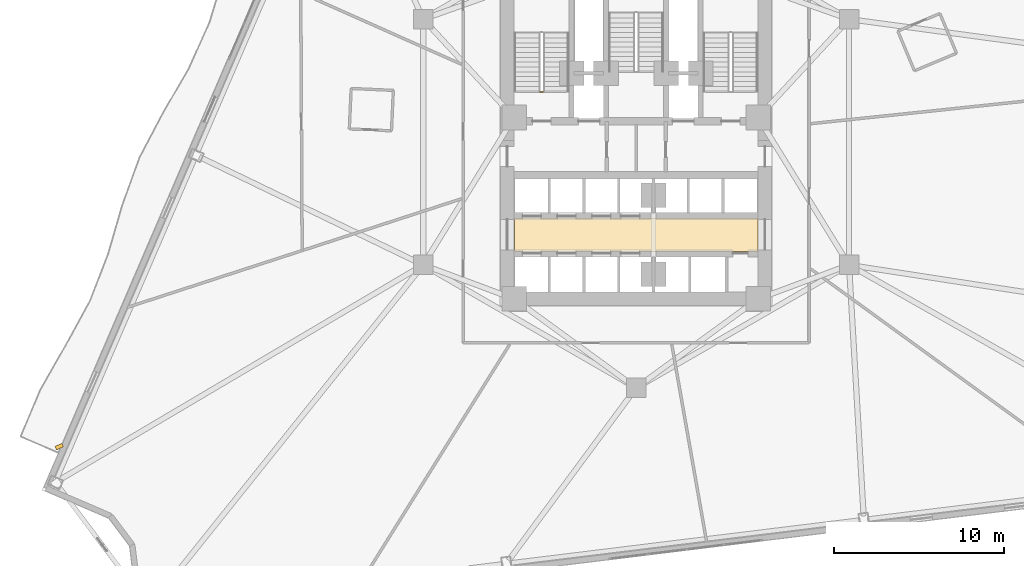
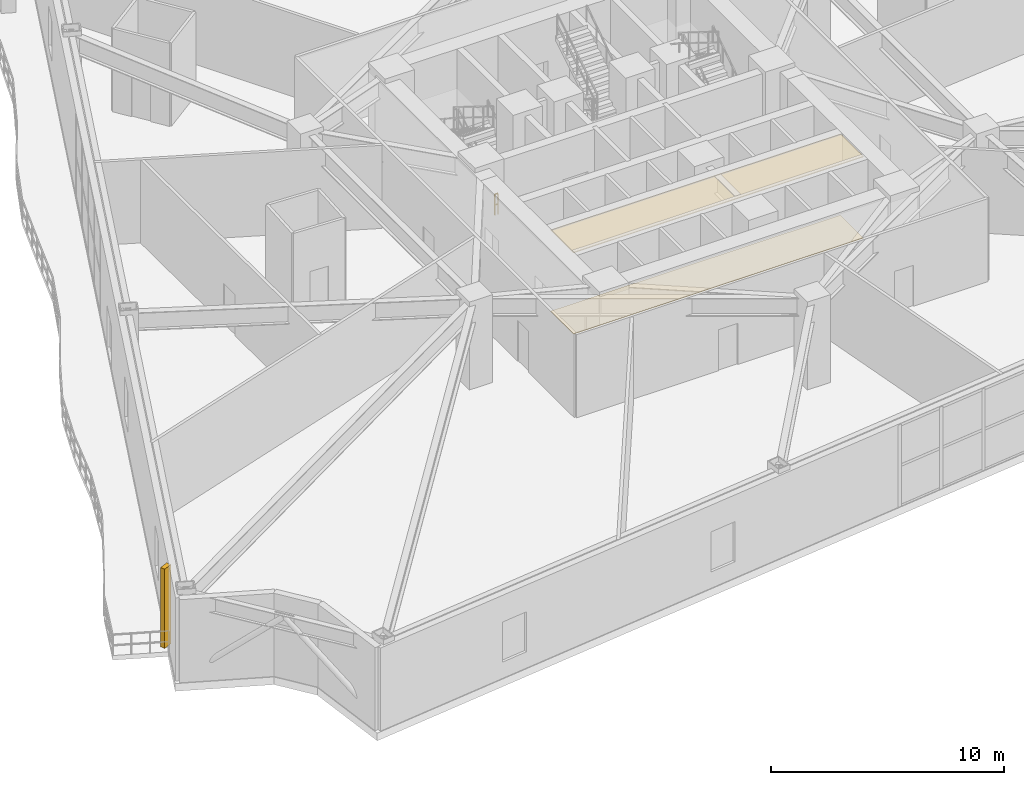
# One storey, part 17 of 21: 2 coverings, 1 railing, 1 shading device.
"""IFC4 building model written with IfcOpenShell, lengths in metres."""

from ifc_helpers import new_model, si_unit, direction, frame, origin, origin_2d, place, context, subcontext, project, spatial, polyline, rectangle, outline, extrude, material, layer, layer_set, type_object, element, save


model = new_model("IFC4")

# Units and contexts
model_context = context("Model", 3, precision=1e-05, world=origin(), true_north=direction((0.0, 1.0)))
body_context = subcontext(model_context, "Body", "Model", "MODEL_VIEW")
ifc_project = project(units=[si_unit("LENGTHUNIT", "METRE"), si_unit("AREAUNIT", "SQUARE_METRE"), si_unit("VOLUMEUNIT", "CUBIC_METRE"), si_unit("PLANEANGLEUNIT", "RADIAN"), si_unit("MASSUNIT", "GRAM", prefix="KILO")], contexts=[model_context])

# Site, building, storey
site_placement = place(None, origin())
site = spatial("IfcSite", under=ifc_project, at=site_placement, CompositionType="ELEMENT")
building_placement = place(site_placement, origin())
building = spatial("IfcBuilding", under=site, at=building_placement, Name="Apsidion Concourse Tower", CompositionType="ELEMENT")
storey_placement = place(building_placement, frame((0.0, 0.0, 62.39990234375)))
storey = spatial("IfcBuildingStorey", under=building, at=storey_placement, Name="L13", CompositionType="ELEMENT", Elevation=62.39990234375)

# Coverings
ifc_material_1 = material(Name="Acoustic mineral fibre ceiling")
ifc_layer_1 = layer(ifc_material_1, 0.0400390625)
ifc_layer_set_1 = layer_set([ifc_layer_1], Name="Acoustic mineral fibre ceiling")
covering_type_1 = type_object("IfcCoveringType", Name="COV-CEIL-40", PredefinedType="CEILING", material=ifc_layer_set_1)
covering_1_placement = place(storey_placement, frame((0.0, 0.0, 4.25)))
element("IfcCovering", 1, at=covering_1_placement, inside=storey, type_object=covering_type_1, Name="L13 Acoustic Ceiling Grid 1", PredefinedType="CEILING", context=body_context, shape_type="SweptSolid", body=[
    extrude(outline(polyline([(-7.179931640625, -6.449951171875), (-7.179931640625, -4.47998046875), (7.179931640625, -4.47998046875), (7.179931640625, -6.449951171875), (-7.179931640625, -6.449951171875)])), origin(), (0.0, 0.0, 1.0), 0.0400390625),
])
ifc_material_2 = material(Name="Honed travertine floor finish", Category="masonry")
ifc_layer_2 = layer(ifc_material_2, 0.02001953125)
ifc_layer_set_2 = layer_set([ifc_layer_2], Name="Honed travertine floor finish")
covering_type_2 = type_object("IfcCoveringType", Name="COV-FLOR-20", PredefinedType="FLOORING", material=ifc_layer_set_2)
covering_2_placement = place(storey_placement, origin())
element("IfcCovering", 2, at=covering_2_placement, inside=storey, type_object=covering_type_2, Name="L13 Honed Travertine Floor Finish 1", PredefinedType="FLOORING", context=body_context, shape_type="SweptSolid", body=[
    extrude(outline(polyline([(-7.179931640625, -6.449951171875), (-7.179931640625, -4.47998046875), (7.179931640625, -4.47998046875), (7.179931640625, -6.449951171875), (-7.179931640625, -6.449951171875)])), origin(), (0.0, 0.0, 1.0), 0.02001953125),
])

# Railing
ifc_material_3 = material(Name="Brushed stainless steel 316", Category="steel")
railing_type = type_object("IfcRailingType", Name="RL-GUARD-1100", PredefinedType="GUARDRAIL", material=ifc_material_3)
railing_placement = place(storey_placement, frame((-5.5, 2.949951171875, 0.0)))
element("IfcRailing", 3, at=railing_placement, inside=storey, type_object=railing_type, Name="L13 ST1 stair guard 4", PredefinedType="GUARDRAIL", context=body_context, shape_type="SweptSolid", body=[
    extrude(rectangle(XDim=0.048095703125, YDim=0.048095703125, at=origin_2d()), frame((0.0, 0.0, 1.09619140625), z_axis=(-1.0, 0.0, 0.0), x_axis=(0.0, -1.0, 0.0)), (0.0, 0.0, 1.0), 0.14990234375),
    extrude(rectangle(XDim=0.048095703125, YDim=0.048095703125, at=origin_2d()), frame((0.0, 0.0, 0.5361328125), z_axis=(-1.0, 0.0, 0.0), x_axis=(0.0, -1.0, 0.0)), (0.0, 0.0, 1.0), 0.14990234375),
    extrude(rectangle(XDim=0.0419921875, YDim=0.0419921875, at=origin_2d()), origin(), (0.0, 0.0, 1.0), 1.072021484375),
    extrude(rectangle(XDim=0.0419921875, YDim=0.0419921875, at=origin_2d()), frame((-0.14990234375, 0.0, 0.0)), (0.0, 0.0, 1.0), 1.072021484375),
])

# Shading device
ifc_material_4 = material(Name="Anodised aluminium EN AW-6063 T6", Category="aluminium")
shading_device_type = type_object("IfcShadingDeviceType", Name="SH-FIN-STONE", PredefinedType="USERDEFINED", material=ifc_material_4)
shading_device_placement = place(storey_placement, frame((-34.03125, -17.96533203125, 0.10009765625), z_axis=(0.0, 0.0, 1.0), x_axis=(0.395385197406, -0.918515403068, 0.0)))
element("IfcShadingDevice", 4, at=shading_device_placement, inside=storey, type_object=shading_device_type, Name="L13 Facade Vertical Solar Fin 9", ObjectType="FIN", PredefinedType="USERDEFINED", context=body_context, shape_type="SweptSolid", body=[
    extrude(rectangle(XDim=0.219970703125, YDim=0.449951171875, at=origin_2d()), origin(), (0.0, 0.0, 1.0), 4.14990234375),
])

save(model, "model.ifc")
